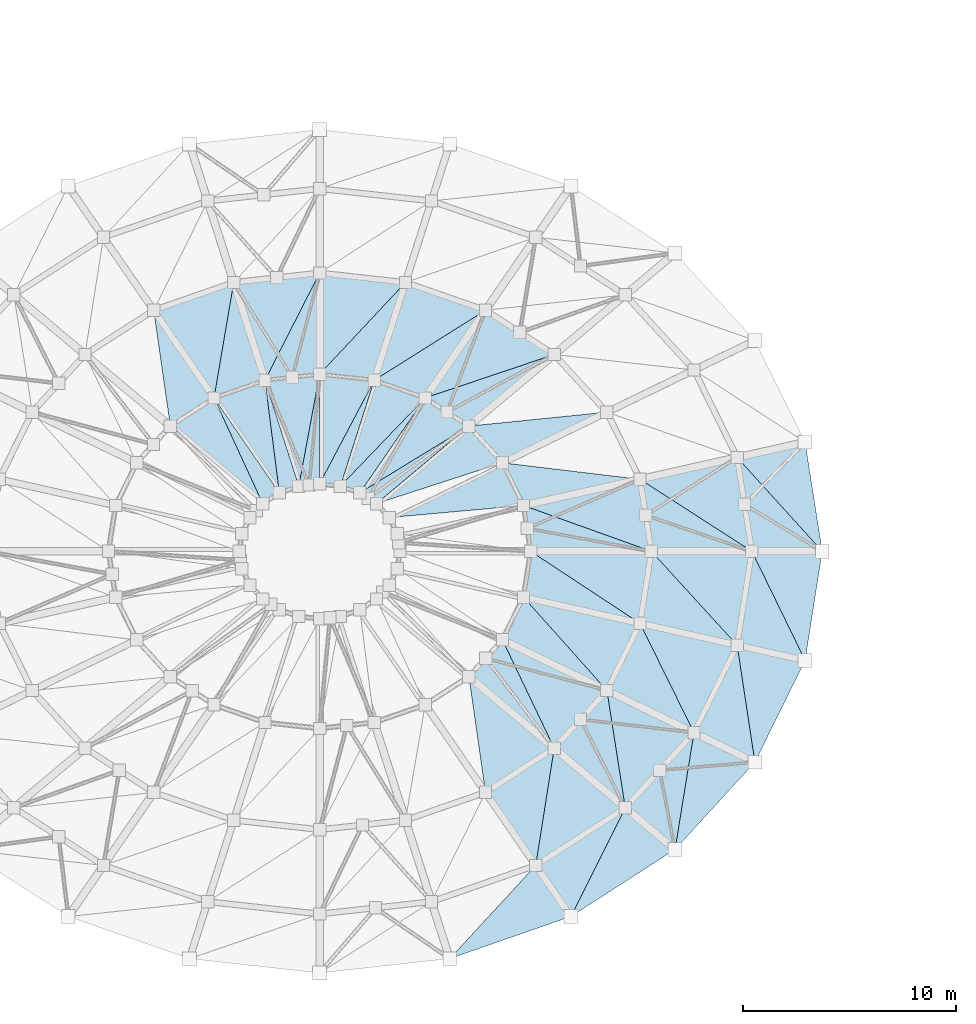
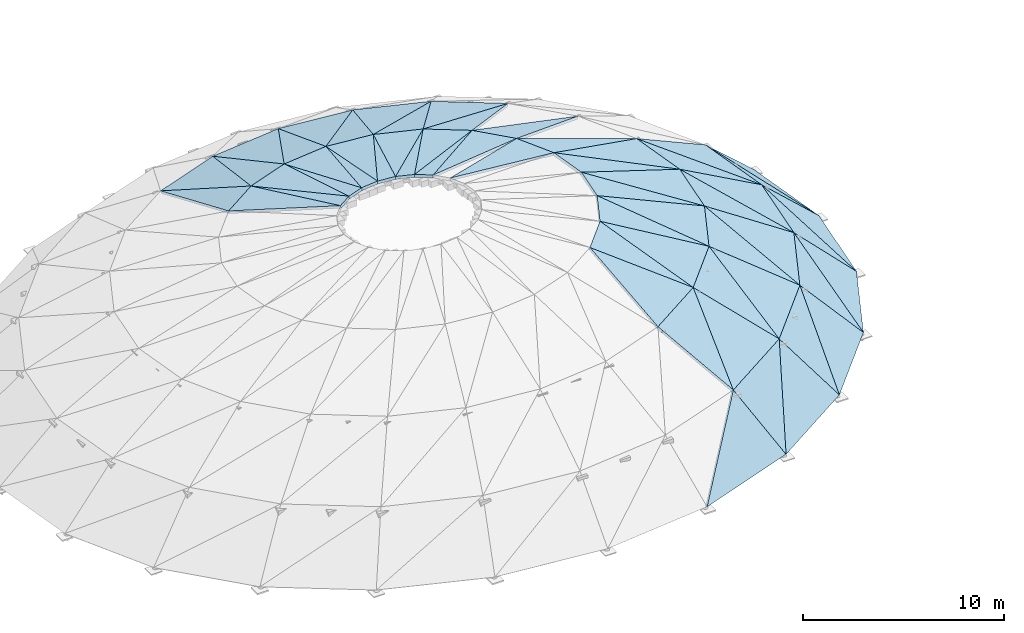
# One storey, part 7 of 11: 57 slabs.
"""IFC4 building model written with IfcOpenShell, lengths in metres."""

from ifc_helpers import new_model, si_unit, direction, frame, origin, place, context, subcontext, project, spatial, polyline, outline, extrude, material, layer, layer_set, type_object, element, save


model = new_model("IFC4")

# Units and contexts
model_context = context("Model", 3, precision=1e-05, world=origin(), true_north=direction((0.0, 1.0)))
body_context = subcontext(model_context, "Body", "Model", "MODEL_VIEW")
ifc_project = project(units=[si_unit("LENGTHUNIT", "METRE"), si_unit("AREAUNIT", "SQUARE_METRE"), si_unit("VOLUMEUNIT", "CUBIC_METRE"), si_unit("PLANEANGLEUNIT", "RADIAN"), si_unit("MASSUNIT", "GRAM", prefix="KILO")], contexts=[model_context])

# Site, building, storey
site_placement = place(None, origin())
site = spatial("IfcSite", under=ifc_project, at=site_placement, CompositionType="ELEMENT")
building_placement = place(site_placement, origin())
building = spatial("IfcBuilding", under=site, at=building_placement, Name="Parian Resonance Hall", CompositionType="ELEMENT")
storey_placement = place(building_placement, frame((0.0, 0.0, 27.60009765625)))
storey = spatial("IfcBuildingStorey", under=building, at=storey_placement, Name="ROOF", CompositionType="ELEMENT", Elevation=27.60009765625)

# Slabs
ifc_material = material(Name="Concrete C35/45", Category="concrete")
ifc_layer = layer(ifc_material, 0.159912109375)
ifc_layer_set = layer_set([ifc_layer], Name="Concrete C35/45")
slab_type = type_object("IfcSlabType", Name="SLB-DOME-160", PredefinedType="ROOF", material=ifc_layer_set)
slab_1_placement = place(storey_placement, frame((67.60009765625, 44.0, -6.489990234375), z_axis=(0.673283575977, 0.10565965218, 0.731795917057), x_axis=(-0.155034419883, 0.98790906902, 0.0)))
element("IfcSlab", 1, at=slab_1_placement, inside=storey, type_object=slab_type, Name="Main Concert Hall dome roof panel R1-01A", PredefinedType="ROOF", context=body_context, shape_type="SweptSolid", body=[
    extrude(outline(polyline([(0.0, 0.0), (5.187230160600568, 0.0), (4.973395466248725, 4.460291440978285), (0.0, 0.0)])), origin(), (0.0, 0.0, -1.0), 0.159912109375),
])
slab_2_placement = place(storey_placement, frame((67.60009765625, 44.0, -6.489990234375), z_axis=(0.673261165671, 0.105621295213, 0.731822071816), x_axis=(-0.598101224401, 0.65971668721, 0.455026172859)))
element("IfcSlab", 2, at=slab_2_placement, inside=storey, type_object=slab_type, Name="Main Concert Hall dome roof panel R1-01B", PredefinedType="ROOF", context=body_context, shape_type="SweptSolid", body=[
    extrude(outline(polyline([(0.0, 0.0), (6.6804836802560565, 0.0), (3.359431847975686, 2.9786411840051867), (0.0, 0.0)])), origin(), (0.0, 0.0, -1.0), 0.159912109375),
])
slab_3_placement = place(storey_placement, frame((50.108154296875, 24.874755859375, -6.489990234375), z_axis=(0.241049716634, -0.693635286794, 0.678796820135), x_axis=(0.944587494416, 0.328259752928, 0.0)))
element("IfcSlab", 3, at=slab_3_placement, inside=storey, type_object=slab_type, Name="Main Concert Hall dome roof panel R1-20A", PredefinedType="ROOF", context=body_context, shape_type="SweptSolid", body=[
    extrude(outline(polyline([(0.0, 0.0), (6.025799160899435, 0.0), (5.253278305387904, 4.139570641030444), (0.0, 0.0)])), origin(), (0.0, 0.0, -1.0), 0.159912109375),
])
slab_4_placement = place(storey_placement, frame((55.800048828125, 26.852783203125, -6.489990234375), z_axis=(0.390822107774, -0.607096415087, 0.691875727904), x_axis=(0.840834423093, 0.541292409832, 0.0)))
element("IfcSlab", 4, at=slab_4_placement, inside=storey, type_object=slab_type, Name="Main Concert Hall dome roof panel R1-21A", PredefinedType="ROOF", context=body_context, shape_type="SweptSolid", body=[
    extrude(outline(polyline([(0.0, 0.0), (5.812910578183155, 2.220446049250313e-16), (4.909407484807627, 4.2101454496150845), (0.0, 0.0)])), origin(), (0.0, 0.0, -1.0), 0.159912109375),
])
slab_5_placement = place(storey_placement, frame((55.800048828125, 26.852783203125, -6.489990234375), z_axis=(0.390839105515, -0.607098238871, 0.691864525728), x_axis=(0.394479859951, 0.789601457473, 0.470016147009)))
element("IfcSlab", 5, at=slab_5_placement, inside=storey, type_object=slab_type, Name="Main Concert Hall dome roof panel R1-21B", PredefinedType="ROOF", context=body_context, shape_type="SweptSolid", body=[
    extrude(outline(polyline([(0.0, 0.0), (6.467426579312651, -4.440892098500626e-16), (2.6725773841452654, 3.2542531693211445), (0.0, 0.0)])), origin(), (0.0, 0.0, -1.0), 0.159912109375),
])
slab_6_placement = place(storey_placement, frame((60.687744140625, 29.999267578125, -6.489990234375), z_axis=(0.52118887834, -0.476662710547, 0.707922886669), x_axis=(0.674882684077, 0.737925038695, 0.0)))
element("IfcSlab", 6, at=slab_6_placement, inside=storey, type_object=slab_type, Name="Main Concert Hall dome roof panel R1-22A", PredefinedType="ROOF", context=body_context, shape_type="SweptSolid", body=[
    extrude(outline(polyline([(0.0, 0.0), (5.557244791931365, -2.220446049250313e-16), (4.648938001719909, 4.303892271256128), (0.0, 0.0)])), origin(), (0.0, 0.0, -1.0), 0.159912109375),
])
slab_7_placement = place(storey_placement, frame((60.687744140625, 29.999267578125, -6.489990234375), z_axis=(0.521153772231, -0.476668995412, 0.707944499592), x_axis=(0.140349974122, 0.866069554756, 0.479818102085)))
element("IfcSlab", 7, at=slab_7_placement, inside=storey, type_object=slab_type, Name="Main Concert Hall dome roof panel R1-22B", PredefinedType="ROOF", context=body_context, shape_type="SweptSolid", body=[
    extrude(outline(polyline([(0.0, 0.0), (6.335306877051319, -2.220446049250313e-16), (2.82830527144801, 3.246895723326073), (0.0, 0.0)])), origin(), (0.0, 0.0, -1.0), 0.159912109375),
])
slab_8_placement = place(storey_placement, frame((64.438232421875, 34.10009765625, -6.489990234375), z_axis=(0.619675759182, -0.305941145523, 0.72277380207), x_axis=(0.442697046574, 0.896671246865, 0.0)))
element("IfcSlab", 8, at=slab_8_placement, inside=storey, type_object=slab_type, Name="Main Concert Hall dome roof panel R1-23A", PredefinedType="ROOF", context=body_context, shape_type="SweptSolid", body=[
    extrude(outline(polyline([(0.0, 0.0), (5.325687247911857, 2.220446049250313e-16), (4.556030102033177, 4.398585328576743), (0.0, 0.0)])), origin(), (0.0, 0.0, -1.0), 0.159912109375),
])
slab_9_placement = place(storey_placement, frame((64.438232421875, 34.10009765625, -6.489990234375), z_axis=(0.619665594664, -0.305946303055, 0.72278033346), x_axis=(-0.131653284698, 0.867331068559, 0.480004406375)))
element("IfcSlab", 9, at=slab_9_placement, inside=storey, type_object=slab_type, Name="Main Concert Hall dome roof panel R1-23B", PredefinedType="ROOF", context=body_context, shape_type="SweptSolid", body=[
    extrude(outline(polyline([(0.0, 0.0), (6.33284795201993, 0.0), (3.0379272062133946, 3.181117444778007), (0.0, 0.0)])), origin(), (0.0, 0.0, -1.0), 0.159912109375),
])
slab_10_placement = place(storey_placement, frame((66.7958984375, 38.87548828125, -6.489990234375), z_axis=(0.673258687773, -0.105655746428, 0.731819378389), x_axis=(0.155034419883, 0.98790906902, 0.0)))
element("IfcSlab", 10, at=slab_10_placement, inside=storey, type_object=slab_type, Name="Main Concert Hall dome roof panel R1-24A", PredefinedType="ROOF", context=body_context, shape_type="SweptSolid", body=[
    extrude(outline(polyline([(0.0, 0.0), (5.187230160600568, -1.1102230246251565e-16), (4.674965551542723, 4.46045632357856), (0.0, 0.0)])), origin(), (0.0, 0.0, -1.0), 0.159912109375),
])
slab_11_placement = place(storey_placement, frame((66.7958984375, 38.87548828125, -6.489990234375), z_axis=(0.673290104899, -0.105625835202, 0.73179479199), x_axis=(-0.386907105361, 0.793083998196, 0.470447301646)))
element("IfcSlab", 11, at=slab_11_placement, inside=storey, type_object=slab_type, Name="Main Concert Hall dome roof panel R1-24B", PredefinedType="ROOF", context=body_context, shape_type="SweptSolid", body=[
    extrude(outline(polyline([(0.0, 0.0), (6.461499324666305, 0.0), (3.233708452337362, 3.0794568774793047), (0.0, 0.0)])), origin(), (0.0, 0.0, -1.0), 0.159912109375),
])
slab_12_placement = place(storey_placement, frame((64.2958984375, 44.0, -3.4501953125), z_axis=(0.481133273543, 0.075480247655, 0.873391953995), x_axis=(-0.154984525505, 0.987916897747, 0.0)))
element("IfcSlab", 12, at=slab_12_placement, inside=storey, type_object=slab_type, Name="Main Concert Hall dome roof panel R2-01A", PredefinedType="ROOF", context=body_context, shape_type="SweptSolid", body=[
    extrude(outline(polyline([(0.0, 0.0), (4.461130862880468, 0.0), (4.154958493652965, 5.338812656804078), (0.0, 0.0)])), origin(), (0.0, 0.0, -1.0), 0.159912109375),
])
slab_13_placement = place(storey_placement, frame((64.2958984375, 44.0, -3.4501953125), z_axis=(0.481128659264, 0.075470481237, 0.873395339864), x_axis=(-0.776113728035, 0.499930413581, 0.384339775112)))
element("IfcSlab", 13, at=slab_13_placement, inside=storey, type_object=slab_type, Name="Main Concert Hall dome roof panel R2-01B", PredefinedType="ROOF", context=body_context, shape_type="SweptSolid", body=[
    extrude(outline(polyline([(0.0, 0.0), (6.765101674655772, -5.551115123125783e-16), (4.662555007089803, 2.7017053996053786), (0.0, 0.0)])), origin(), (0.0, 0.0, -1.0), 0.159912109375),
])
slab_14_placement = place(storey_placement, frame((54.14794921875, 29.25341796875, -3.4501953125), z_axis=(0.286855152168, -0.445577873951, 0.848041555538), x_axis=(0.84082444834, 0.54130790413, 0.0)))
element("IfcSlab", 14, at=slab_14_placement, inside=storey, type_object=slab_type, Name="Main Concert Hall dome roof panel R2-21A", PredefinedType="ROOF", context=body_context, shape_type="SweptSolid", body=[
    extrude(outline(polyline([(0.0, 0.0), (4.999104330187486, 2.220446049250313e-16), (3.708623408228049, 4.9064951499056475), (0.0, 0.0)])), origin(), (0.0, 0.0, -1.0), 0.159912109375),
])
slab_15_placement = place(storey_placement, frame((54.14794921875, 29.25341796875, -3.4501953125), z_axis=(0.286845195065, -0.445577893533, 0.848044913235), x_axis=(0.140798149985, 0.895241239528, 0.422751704916)))
element("IfcSlab", 15, at=slab_15_placement, inside=storey, type_object=slab_type, Name="Main Concert Hall dome roof panel R2-21B", PredefinedType="ROOF", context=body_context, shape_type="SweptSolid", body=[
    extrude(outline(polyline([(0.0, 0.0), (6.150413176373167, 0.0), (3.8371104568486585, 3.0605763550894673), (0.0, 0.0)])), origin(), (0.0, 0.0, -1.0), 0.159912109375),
])
slab_16_placement = place(storey_placement, frame((58.351318359375, 31.95947265625, -3.4501953125), z_axis=(0.37841935447, -0.346118138543, 0.858487639011), x_axis=(0.674912283642, 0.737897966788, 0.0)))
element("IfcSlab", 16, at=slab_16_placement, inside=storey, type_object=slab_type, Name="Main Concert Hall dome roof panel R2-22A", PredefinedType="ROOF", context=body_context, shape_type="SweptSolid", body=[
    extrude(outline(polyline([(0.0, 0.0), (4.779266899834884, -4.440892098500626e-16), (3.481487638516458, 5.0700545607304175), (0.0, 0.0)])), origin(), (0.0, 0.0, -1.0), 0.159912109375),
])
slab_17_placement = place(storey_placement, frame((58.351318359375, 31.95947265625, -3.4501953125), z_axis=(0.378439438745, -0.346111985336, 0.858481266429), x_axis=(-0.140165573475, 0.895336876161, 0.422759376241)))
element("IfcSlab", 17, at=slab_17_placement, inside=storey, type_object=slab_type, Name="Main Concert Hall dome roof panel R2-22B", PredefinedType="ROOF", context=body_context, shape_type="SweptSolid", body=[
    extrude(outline(polyline([(0.0, 0.0), (6.15030157194964, 1.1102230246251565e-16), (4.073991547619597, 3.0235126154711174), (0.0, 0.0)])), origin(), (0.0, 0.0, -1.0), 0.159912109375),
])
slab_18_placement = place(storey_placement, frame((61.576904296875, 35.486083984375, -3.4501953125), z_axis=(0.445487373196, -0.21994962454, 0.867849735258), x_axis=(0.442708885431, 0.896665401786, 0.0)))
element("IfcSlab", 18, at=slab_18_placement, inside=storey, type_object=slab_type, Name="Main Concert Hall dome roof panel R2-23A", PredefinedType="ROOF", context=body_context, shape_type="SweptSolid", body=[
    extrude(outline(polyline([(0.0, 0.0), (4.579957523669543, -2.220446049250313e-16), (3.480824783328268, 5.233408958149523), (0.0, 0.0)])), origin(), (0.0, 0.0, -1.0), 0.159912109375),
])
slab_19_placement = place(storey_placement, frame((61.576904296875, 35.486083984375, -3.4501953125), z_axis=(0.445488249327, -0.219949039598, 0.867849433768), x_axis=(-0.402765705881, 0.81648520953, 0.413680660395)))
element("IfcSlab", 19, at=slab_19_placement, inside=storey, type_object=slab_type, Name="Main Concert Hall dome roof panel R2-23B", PredefinedType="ROOF", context=body_context, shape_type="SweptSolid", body=[
    extrude(outline(polyline([(0.0, 0.0), (6.285277280714985, -2.220446049250313e-16), (4.33859870509257, 2.9268149131881556), (0.0, 0.0)])), origin(), (0.0, 0.0, -1.0), 0.159912109375),
])
slab_20_placement = place(storey_placement, frame((63.6044921875, 39.5927734375, -3.4501953125), z_axis=(0.481128330901, -0.075479472253, 0.873394743786), x_axis=(0.154984525505, 0.987916897747, 0.0)))
element("IfcSlab", 20, at=slab_20_placement, inside=storey, type_object=slab_type, Name="Main Concert Hall dome roof panel R2-24A", PredefinedType="ROOF", context=body_context, shape_type="SweptSolid", body=[
    extrude(outline(polyline([(0.0, 0.0), (4.461130862880468, 0.0), (3.729608443058335, 5.338867502541398), (0.0, 0.0)])), origin(), (0.0, 0.0, -1.0), 0.159912109375),
])
slab_21_placement = place(storey_placement, frame((63.6044921875, 39.5927734375, -3.4501953125), z_axis=(0.481135100106, -0.075471491556, 0.873391704453), x_axis=(-0.618583505224, 0.676726830877, 0.399243338624)))
element("IfcSlab", 21, at=slab_21_placement, inside=storey, type_object=slab_type, Name="Main Concert Hall dome roof panel R2-24B", PredefinedType="ROOF", context=body_context, shape_type="SweptSolid", body=[
    extrude(outline(polyline([(0.0, 0.0), (6.512563654063172, 8.881784197001252e-16), (4.55198874408036, 2.8064320012955086), (0.0, 0.0)])), origin(), (0.0, 0.0, -1.0), 0.159912109375),
])
slab_22_placement = place(storey_placement, frame((59.575927734375, 44.0, -0.85009765625), z_axis=(0.302532156564, 0.047455596348, 0.951957068685), x_axis=(-0.154966404102, 0.987919740465, 0.0)))
element("IfcSlab", 22, at=slab_22_placement, inside=storey, type_object=slab_type, Name="Main Concert Hall dome roof panel R3-01A", PredefinedType="ROOF", context=body_context, shape_type="SweptSolid", body=[
    extrude(outline(polyline([(0.0, 0.0), (3.4234360744067684, -5.551115123125783e-17), (3.056406138667769, 5.87806529824566), (0.0, 0.0)])), origin(), (0.0, 0.0, -1.0), 0.159912109375),
])
slab_23_placement = place(storey_placement, frame((59.575927734375, 44.0, -0.85009765625), z_axis=(0.30254473295, 0.047495679492, 0.951951072794), x_axis=(-0.905891040228, 0.324872286159, 0.27169729649)))
element("IfcSlab", 23, at=slab_23_placement, inside=storey, type_object=slab_type, Name="Main Concert Hall dome roof panel R3-01B", PredefinedType="ROOF", context=body_context, shape_type="SweptSolid", body=[
    extrude(outline(polyline([(0.0, 0.0), (6.625199629816889, 1.1102230246251565e-16), (5.619870705389183, 1.932890955624757), (0.0, 0.0)])), origin(), (0.0, 0.0, -1.0), 0.159912109375),
])
slab_24_placement = place(storey_placement, frame((59.04541015625, 47.382080078125, -0.85009765625), z_axis=(0.281201418551, 0.138837851934, 0.949552427765), x_axis=(-0.95693656087, 0.114907594289, 0.266587065038)))
element("IfcSlab", 24, at=slab_24_placement, inside=storey, type_object=slab_type, Name="Main Concert Hall dome roof panel R3-02B", PredefinedType="ROOF", context=body_context, shape_type="SweptSolid", body=[
    extrude(outline(polyline([(0.0, 0.0), (6.752198678015929, 5.551115123125783e-17), (5.574146779097644, 1.9013811583277436), (0.0, 0.0)])), origin(), (0.0, 0.0, -1.0), 0.159912109375),
])
slab_25_placement = place(storey_placement, frame((57.4892578125, 50.533935546875, -0.85009765625), z_axis=(0.240432914655, 0.219882801609, 0.945433005087), x_axis=(-0.959003976477, -0.096716909472, 0.266377950519)))
element("IfcSlab", 25, at=slab_25_placement, inside=storey, type_object=slab_type, Name="Main Concert Hall dome roof panel R3-03B", PredefinedType="ROOF", context=body_context, shape_type="SweptSolid", body=[
    extrude(outline(polyline([(0.0, 0.0), (6.757499352404655, 1.1102230246251565e-16), (5.413467160044733, 1.9082770273059912), (0.0, 0.0)])), origin(), (0.0, 0.0, -1.0), 0.159912109375),
])
slab_26_placement = place(storey_placement, frame((55.013916015625, 53.240478515625, -0.85009765625), z_axis=(0.183572805246, 0.285157239091, 0.940737144035), x_axis=(-0.840833011085, 0.541294603216, 0.0)))
element("IfcSlab", 26, at=slab_26_placement, inside=storey, type_object=slab_type, Name="Main Concert Hall dome roof panel R3-04A", PredefinedType="ROOF", context=body_context, shape_type="SweptSolid", body=[
    extrude(outline(polyline([(0.0, 0.0), (3.83646935312824, -2.220446049250313e-16), (3.9901805583972783, 5.307739972075415), (0.0, 0.0)])), origin(), (0.0, 0.0, -1.0), 0.159912109375),
])
slab_27_placement = place(storey_placement, frame((55.013916015625, 53.240478515625, -0.85009765625), z_axis=(0.183576285715, 0.285148607111, 0.940739081354), x_axis=(-0.91228667054, -0.307000108774, 0.271079257723)))
element("IfcSlab", 27, at=slab_27_placement, inside=storey, type_object=slab_type, Name="Main Concert Hall dome roof panel R3-04B", PredefinedType="ROOF", context=body_context, shape_type="SweptSolid", body=[
    extrude(outline(polyline([(0.0, 0.0), (6.6403045487220504, 0.0), (5.1733331773581686, 1.9514516178648231), (0.0, 0.0)])), origin(), (0.0, 0.0, -1.0), 0.159912109375),
])
slab_28_placement = place(storey_placement, frame((51.7880859375, 55.317138671875, -0.85009765625), z_axis=(0.114920543533, 0.330643680505, 0.936732632727), x_axis=(-0.944572962481, 0.328301566475, 0.0)))
element("IfcSlab", 28, at=slab_28_placement, inside=storey, type_object=slab_type, Name="Main Concert Hall dome roof panel R3-05A", PredefinedType="ROOF", context=body_context, shape_type="SweptSolid", body=[
    extrude(outline(polyline([(0.0, 0.0), (3.977026599414762, 2.220446049250313e-16), (3.8548983983417395, 5.142325574145984), (0.0, 0.0)])), origin(), (0.0, 0.0, -1.0), 0.159912109375),
])
slab_29_placement = place(storey_placement, frame((51.7880859375, 55.317138671875, -0.85009765625), z_axis=(0.114912173281, 0.330655304368, 0.936729556556), x_axis=(-0.812637163103, -0.511051222664, 0.280084788872)))
element("IfcSlab", 29, at=slab_29_placement, inside=storey, type_object=slab_type, Name="Main Concert Hall dome roof panel R3-05B", PredefinedType="ROOF", context=body_context, shape_type="SweptSolid", body=[
    extrude(outline(polyline([(0.0, 0.0), (6.426799667957102, -3.885780586188048e-16), (4.908675695696457, 2.0250021383374617), (0.0, 0.0)])), origin(), (0.0, 0.0, -1.0), 0.159912109375),
])
slab_30_placement = place(storey_placement, frame((48.031494140625, 56.622802734375, -0.85009765625), z_axis=(0.039096956255, 0.353951775567, 0.934446129311), x_axis=(-0.993954731115, 0.109790675804, 0.0)))
element("IfcSlab", 30, at=slab_30_placement, inside=storey, type_object=slab_type, Name="Main Concert Hall dome roof panel R3-06A", PredefinedType="ROOF", context=body_context, shape_type="SweptSolid", body=[
    extrude(outline(polyline([(0.0, 0.0), (4.056013834856824, 0.0), (3.5342668855091186, 5.054832811863739), (0.0, 0.0)])), origin(), (0.0, 0.0, -1.0), 0.159912109375),
])
slab_31_placement = place(storey_placement, frame((48.031494140625, 56.622802734375, -0.85009765625), z_axis=(0.039075429757, 0.353969496456, 0.934440317178), x_axis=(-0.653630349708, -0.698279718961, 0.291843793883)))
element("IfcSlab", 31, at=slab_31_placement, inside=storey, type_object=slab_type, Name="Main Concert Hall dome roof panel R3-06B", PredefinedType="ROOF", context=body_context, shape_type="SweptSolid", body=[
    extrude(outline(polyline([(0.0, 0.0), (6.167850287896149, 9.43689570931383e-16), (4.6887625826377315, 2.1151673814782375), (0.0, 0.0)])), origin(), (0.0, 0.0, -1.0), 0.159912109375),
])
slab_32_placement = place(storey_placement, frame((44.0, 57.068115234375, -0.85009765625), z_axis=(-0.039098178996, 0.353962845261, 0.93444188507), x_axis=(-0.993954731115, -0.109790675804, 0.0)))
element("IfcSlab", 32, at=slab_32_placement, inside=storey, type_object=slab_type, Name="Main Concert Hall dome roof panel R3-07A", PredefinedType="ROOF", context=body_context, shape_type="SweptSolid", body=[
    extrude(outline(polyline([(0.0, 0.0), (4.056013834856824, 5.551115123125783e-17), (3.1027609870655466, 5.054674729019759), (0.0, 0.0)])), origin(), (0.0, 0.0, -1.0), 0.159912109375),
])
slab_33_placement = place(storey_placement, frame((44.0, 57.068115234375, -0.85009765625), z_axis=(-0.039073509374, 0.353952100434, 0.934446986973), x_axis=(-0.432545269173, -0.848995639199, 0.303497932015)))
element("IfcSlab", 33, at=slab_33_placement, inside=storey, type_object=slab_type, Name="Main Concert Hall dome roof panel R3-07B", PredefinedType="ROOF", context=body_context, shape_type="SweptSolid", body=[
    extrude(outline(polyline([(0.0, 0.0), (5.931008544846899, -1.1102230246251565e-16), (4.580905851989581, 2.199740032425543), (0.0, 0.0)])), origin(), (0.0, 0.0, -1.0), 0.159912109375),
])
slab_34_placement = place(storey_placement, frame((39.968505859375, 56.622802734375, -0.85009765625), z_axis=(-0.114922317781, 0.330648785282, 0.936730613179), x_axis=(-0.944572962481, -0.328301566475, 0.0)))
element("IfcSlab", 34, at=slab_34_placement, inside=storey, type_object=slab_type, Name="Main Concert Hall dome roof panel R3-08A", PredefinedType="ROOF", context=body_context, shape_type="SweptSolid", body=[
    extrude(outline(polyline([(0.0, 0.0), (3.977026599414762, 0.0), (2.653004343487087, 5.142246183488358), (0.0, 0.0)])), origin(), (0.0, 0.0, -1.0), 0.159912109375),
])
slab_35_placement = place(storey_placement, frame((39.968505859375, 56.622802734375, -0.85009765625), z_axis=(-0.114909385472, 0.330647282558, 0.936732730114), x_axis=(-0.159784746307, -0.936852523635, 0.311088707294)))
element("IfcSlab", 35, at=slab_35_placement, inside=storey, type_object=slab_type, Name="Main Concert Hall dome roof panel R3-08B", PredefinedType="ROOF", context=body_context, shape_type="SweptSolid", body=[
    extrude(outline(polyline([(0.0, 0.0), (5.786287916977683, 0.0), (4.625955550334381, 2.2492138302846376), (0.0, 0.0)])), origin(), (0.0, 0.0, -1.0), 0.159912109375),
])
slab_36_placement = place(storey_placement, frame((36.2119140625, 55.317138671875, -0.85009765625), z_axis=(-0.183579082714, 0.285152951683, 0.940737218641), x_axis=(0.134831451292, -0.940652126822, 0.311438687461)))
element("IfcSlab", 36, at=slab_36_placement, inside=storey, type_object=slab_type, Name="Main Concert Hall dome roof panel R3-09B", PredefinedType="ROOF", context=body_context, shape_type="SweptSolid", body=[
    extrude(outline(polyline([(0.0, 0.0), (5.7797855584416045, 2.7755575615628914e-16), (4.813455695153558, 2.241957853436627), (0.0, 0.0)])), origin(), (0.0, 0.0, -1.0), 0.159912109375),
])
slab_37_placement = place(storey_placement, frame((51.7880859375, 32.682861328125, -0.85009765625), z_axis=(0.18357102542, -0.285154474356, 0.940738329389), x_axis=(0.840833011085, 0.541294603216, 0.0)))
element("IfcSlab", 37, at=slab_37_placement, inside=storey, type_object=slab_type, Name="Main Concert Hall dome roof panel R3-21A", PredefinedType="ROOF", context=body_context, shape_type="SweptSolid", body=[
    extrude(outline(polyline([(0.0, 0.0), (3.83646935312824, 2.220446049250313e-16), (2.2876344110409503, 5.307791433637107), (0.0, 0.0)])), origin(), (0.0, 0.0, -1.0), 0.159912109375),
])
slab_38_placement = place(storey_placement, frame((55.013916015625, 34.759521484375, -0.85009765625), z_axis=(0.240428821429, -0.219890656727, 0.945432219099), x_axis=(0.674886246736, 0.737921780385, 0.0)))
element("IfcSlab", 38, at=slab_38_placement, inside=storey, type_object=slab_type, Name="Main Concert Hall dome roof panel R3-22A", PredefinedType="ROOF", context=body_context, shape_type="SweptSolid", body=[
    extrude(outline(polyline([(0.0, 0.0), (3.6677911408702673, 0.0), (2.1105744165722493, 5.524692206756239), (0.0, 0.0)])), origin(), (0.0, 0.0, -1.0), 0.159912109375),
])
slab_39_placement = place(storey_placement, frame((55.013916015625, 34.759521484375, -0.85009765625), z_axis=(0.240436878995, -0.219886427112, 0.945431153703), x_axis=(-0.410869912836, 0.859388108653, 0.304364901773)))
element("IfcSlab", 39, at=slab_39_placement, inside=storey, type_object=slab_type, Name="Main Concert Hall dome roof panel R3-22B", PredefinedType="ROOF", context=body_context, shape_type="SweptSolid", body=[
    extrude(outline(polyline([(0.0, 0.0), (5.91411433329475, -4.440892098500626e-16), (5.081094209044392, 2.1803718076597685), (0.0, 0.0)])), origin(), (0.0, 0.0, -1.0), 0.159912109375),
])
slab_40_placement = place(storey_placement, frame((57.4892578125, 37.466064453125, -0.85009765625), z_axis=(0.281201741503, -0.138836553086, 0.949552522035), x_axis=(0.442707238803, 0.896666214771, 0.0)))
element("IfcSlab", 40, at=slab_40_placement, inside=storey, type_object=slab_type, Name="Main Concert Hall dome roof panel R3-23A", PredefinedType="ROOF", context=body_context, shape_type="SweptSolid", body=[
    extrude(outline(polyline([(0.0, 0.0), (3.5150822199271383, -2.220446049250313e-16), (2.195609198008576, 5.73980431448647), (0.0, 0.0)])), origin(), (0.0, 0.0, -1.0), 0.159912109375),
])
slab_41_placement = place(storey_placement, frame((57.4892578125, 37.466064453125, -0.85009765625), z_axis=(0.28120073674, -0.138837515303, 0.949552678897), x_axis=(-0.637067277799, 0.712986183254, 0.292909518534)))
element("IfcSlab", 41, at=slab_41_placement, inside=storey, type_object=slab_type, Name="Main Concert Hall dome roof panel R3-23B", PredefinedType="ROOF", context=body_context, shape_type="SweptSolid", body=[
    extrude(outline(polyline([(0.0, 0.0), (6.145409125434804, 1.1102230246251565e-16), (5.346279092066637, 2.089126079382889), (0.0, 0.0)])), origin(), (0.0, 0.0, -1.0), 0.159912109375),
])
slab_42_placement = place(storey_placement, frame((59.04541015625, 40.617919921875, -0.85009765625), z_axis=(0.302545280362, -0.047457654965, 0.951952795214), x_axis=(0.154966404102, 0.987919740465, 0.0)))
element("IfcSlab", 42, at=slab_42_placement, inside=storey, type_object=slab_type, Name="Main Concert Hall dome roof panel R3-24A", PredefinedType="ROOF", context=body_context, shape_type="SweptSolid", body=[
    extrude(outline(polyline([(0.0, 0.0), (3.4234360744067684, 1.1102230246251565e-16), (2.5457345097656887, 5.877810319758039), (0.0, 0.0)])), origin(), (0.0, 0.0, -1.0), 0.159912109375),
])
slab_43_placement = place(storey_placement, frame((59.04541015625, 40.617919921875, -0.85009765625), z_axis=(0.3025241115, -0.047492442186, 0.951957787875), x_axis=(-0.801399435121, 0.528002776312, 0.281019596459)))
element("IfcSlab", 43, at=slab_43_placement, inside=storey, type_object=slab_type, Name="Main Concert Hall dome roof panel R3-24B", PredefinedType="ROOF", context=body_context, shape_type="SweptSolid", body=[
    extrude(outline(polyline([(0.0, 0.0), (6.405421012647494, 1.6653345369377348e-16), (5.539762893077539, 1.9993473216651383), (0.0, 0.0)])), origin(), (0.0, 0.0, -1.0), 0.159912109375),
])
slab_44_placement = place(storey_placement, frame((53.57421875, 46.15234375, 0.949951171875), z_axis=(0.151188573255, 0.074646482425, 0.985682463057), x_axis=(-0.442710977497, 0.896664368871, 0.0)))
element("IfcSlab", 44, at=slab_44_placement, inside=storey, type_object=slab_type, Name="Main Concert Hall dome roof panel R4-02A", PredefinedType="ROOF", context=body_context, shape_type="SweptSolid", body=[
    extrude(outline(polyline([(0.0, 0.0), (2.2367513464372224, 0.0), (2.281310598195165, 5.990133708863165), (0.0, 0.0)])), origin(), (0.0, 0.0, -1.0), 0.159912109375),
])
slab_45_placement = place(storey_placement, frame((52.583984375, 48.157958984375, 0.949951171875), z_axis=(0.129666443225, 0.118583684151, 0.984441223921), x_axis=(-0.674866861926, 0.737939508817, 0.0)))
element("IfcSlab", 45, at=slab_45_placement, inside=storey, type_object=slab_type, Name="Main Concert Hall dome roof panel R4-03A", PredefinedType="ROOF", context=body_context, shape_type="SweptSolid", body=[
    extrude(outline(polyline([(0.0, 0.0), (2.3340830634413186, 0.0), (2.575859883308885, 5.748026180185735), (0.0, 0.0)])), origin(), (0.0, 0.0, -1.0), 0.159912109375),
])
slab_46_placement = place(storey_placement, frame((51.0087890625, 49.88037109375, 0.949951171875), z_axis=(0.099353643318, 0.15432577739, 0.983011906333), x_axis=(-0.840820882046, 0.541313443686, 0.0)))
element("IfcSlab", 46, at=slab_46_placement, inside=storey, type_object=slab_type, Name="Main Concert Hall dome roof panel R4-04A", PredefinedType="ROOF", context=body_context, shape_type="SweptSolid", body=[
    extrude(outline(polyline([(0.0, 0.0), (2.441345616922861, 0.0), (2.607769256941222, 5.502886921212151), (0.0, 0.0)])), origin(), (0.0, 0.0, -1.0), 0.159912109375),
])
slab_47_placement = place(storey_placement, frame((51.0087890625, 49.88037109375, 0.949951171875), z_axis=(0.099375945675, 0.1542904285, 0.983015200846), x_axis=(-0.84092861218, -0.515101349668, 0.165860389444)))
element("IfcSlab", 47, at=slab_47_placement, inside=storey, type_object=slab_type, Name="Main Concert Hall dome roof panel R4-04B", PredefinedType="ROOF", context=body_context, shape_type="SweptSolid", body=[
    extrude(outline(polyline([(0.0, 0.0), (6.0895176299191, -2.914335439641036e-16), (5.691363269458235, 0.8406218732507292), (0.0, 0.0)])), origin(), (0.0, 0.0, -1.0), 0.159912109375),
])
slab_48_placement = place(storey_placement, frame((48.9560546875, 51.201904296875, 0.949951171875), z_axis=(0.062377967097, 0.179490171557, 0.981780152343), x_axis=(-0.944583955965, 0.32826993486, 0.0)))
element("IfcSlab", 48, at=slab_48_placement, inside=storey, type_object=slab_type, Name="Main Concert Hall dome roof panel R4-05A", PredefinedType="ROOF", context=body_context, shape_type="SweptSolid", body=[
    extrude(outline(polyline([(0.0, 0.0), (2.5308761438331464, 0.0), (2.3986292200841635, 5.315271648022106), (0.0, 0.0)])), origin(), (0.0, 0.0, -1.0), 0.159912109375),
])
slab_49_placement = place(storey_placement, frame((48.9560546875, 51.201904296875, 0.949951171875), z_axis=(0.06236773549, 0.179499732545, 0.981779054363), x_axis=(-0.682296137516, -0.710262868808, 0.173201148733)))
element("IfcSlab", 49, at=slab_49_placement, inside=storey, type_object=slab_type, Name="Main Concert Hall dome roof panel R4-05B", PredefinedType="ROOF", context=body_context, shape_type="SweptSolid", body=[
    extrude(outline(polyline([(0.0, 0.0), (5.831426483092211, 1.3877787807814457e-16), (5.434828847603685, 0.878690328192763), (0.0, 0.0)])), origin(), (0.0, 0.0, -1.0), 0.159912109375),
])
slab_50_placement = place(storey_placement, frame((46.5654296875, 52.03271484375, 0.949951171875), z_axis=(0.021248553782, 0.192482588915, 0.98107030937), x_axis=(-0.993961925235, 0.109725526577, 0.0)))
element("IfcSlab", 50, at=slab_50_placement, inside=storey, type_object=slab_type, Name="Main Concert Hall dome roof panel R4-06A", PredefinedType="ROOF", context=body_context, shape_type="SweptSolid", body=[
    extrude(outline(polyline([(0.0, 0.0), (2.5810140432620883, -5.551115123125783e-17), (2.01615260444222, 5.215595118528753), (0.0, 0.0)])), origin(), (0.0, 0.0, -1.0), 0.159912109375),
])
slab_51_placement = place(storey_placement, frame((46.5654296875, 52.03271484375, 0.949951171875), z_axis=(0.021253127931, 0.192480251378, 0.981070668903), x_axis=(-0.45879101041, -0.86999140402, 0.180626038263)))
element("IfcSlab", 51, at=slab_51_placement, inside=storey, type_object=slab_type, Name="Main Concert Hall dome roof panel R4-06B", PredefinedType="ROOF", context=body_context, shape_type="SweptSolid", body=[
    extrude(outline(polyline([(0.0, 0.0), (5.5917174253372375, -2.7755575615628914e-16), (5.2372242090051495, 0.917106605427686), (0.0, 0.0)])), origin(), (0.0, 0.0, -1.0), 0.159912109375),
])
slab_52_placement = place(storey_placement, frame((44.0, 52.31591796875, 0.949951171875), z_axis=(-0.021248456311, 0.192481705958, 0.981070484713), x_axis=(-0.993961925235, -0.109725526577, 0.0)))
element("IfcSlab", 52, at=slab_52_placement, inside=storey, type_object=slab_type, Name="Main Concert Hall dome roof panel R4-07A", PredefinedType="ROOF", context=body_context, shape_type="SweptSolid", body=[
    extrude(outline(polyline([(0.0, 0.0), (2.5810140432620883, 0.0), (1.5480958796069313, 5.215619043632306), (0.0, 0.0)])), origin(), (0.0, 0.0, -1.0), 0.159912109375),
])
slab_53_placement = place(storey_placement, frame((44.0, 52.31591796875, 0.949951171875), z_axis=(-0.021253383853, 0.192482569149, 0.981070208624), x_axis=(-0.179632555218, -0.966057868782, 0.185645735932)))
element("IfcSlab", 53, at=slab_53_placement, inside=storey, type_object=slab_type, Name="Main Concert Hall dome roof panel R4-07B", PredefinedType="ROOF", context=body_context, shape_type="SweptSolid", body=[
    extrude(outline(polyline([(0.0, 0.0), (5.440522296687692, 8.326672684688674e-17), (5.160720857102796, 0.9425821558627036), (0.0, 0.0)])), origin(), (0.0, 0.0, -1.0), 0.159912109375),
])
slab_54_placement = place(storey_placement, frame((41.4345703125, 52.03271484375, 0.949951171875), z_axis=(-0.062378715488, 0.179492325024, 0.981779711092), x_axis=(-0.944583955965, -0.32826993486, 0.0)))
element("IfcSlab", 54, at=slab_54_placement, inside=storey, type_object=slab_type, Name="Main Concert Hall dome roof panel R4-08A", PredefinedType="ROOF", context=body_context, shape_type="SweptSolid", body=[
    extrude(outline(polyline([(0.0, 0.0), (2.5308761438331464, 0.0), (1.0962937966320492, 5.315207877844826), (0.0, 0.0)])), origin(), (0.0, 0.0, -1.0), 0.159912109375),
])
slab_55_placement = place(storey_placement, frame((41.4345703125, 52.03271484375, 0.949951171875), z_axis=(-0.062365771117, 0.179494078908, 0.981780212792), x_axis=(0.124834922735, -0.974567122933, 0.186105252381)))
element("IfcSlab", 55, at=slab_55_placement, inside=storey, type_object=slab_type, Name="Main Concert Hall dome roof panel R4-08B", PredefinedType="ROOF", context=body_context, shape_type="SweptSolid", body=[
    extrude(outline(polyline([(0.0, 0.0), (5.427088987038779, -8.326672684688674e-17), (5.232410097996233, 0.9441856319049522), (0.0, 0.0)])), origin(), (0.0, 0.0, -1.0), 0.159912109375),
])
slab_56_placement = place(storey_placement, frame((39.0439453125, 51.201904296875, 0.949951171875), z_axis=(-0.099350235417, 0.154320483907, 0.98301308179), x_axis=(-0.840820882046, -0.541313443686, 0.0)))
element("IfcSlab", 56, at=slab_56_placement, inside=storey, type_object=slab_type, Name="Main Concert Hall dome roof panel R4-09A", PredefinedType="ROOF", context=body_context, shape_type="SweptSolid", body=[
    extrude(outline(polyline([(0.0, 0.0), (2.441345616922861, 0.0), (0.7637225805670678, 5.503075680618454), (0.0, 0.0)])), origin(), (0.0, 0.0, -1.0), 0.159912109375),
])
slab_57_placement = place(storey_placement, frame((39.0439453125, 51.201904296875, 0.949951171875), z_axis=(-0.099384892628, 0.15430431948, 0.983012115951), x_axis=(0.411484464541, -0.893102334187, 0.181793168497)))
element("IfcSlab", 57, at=slab_57_placement, inside=storey, type_object=slab_type, Name="Main Concert Hall dome roof panel R4-09B", PredefinedType="ROOF", context=body_context, shape_type="SweptSolid", body=[
    extrude(outline(polyline([(0.0, 0.0), (5.555818042978215, 5.585809592645319e-16), (5.427769855599455, 0.9212902312792531), (0.0, 0.0)])), origin(), (0.0, 0.0, -1.0), 0.159912109375),
])

save(model, "model.ifc")
